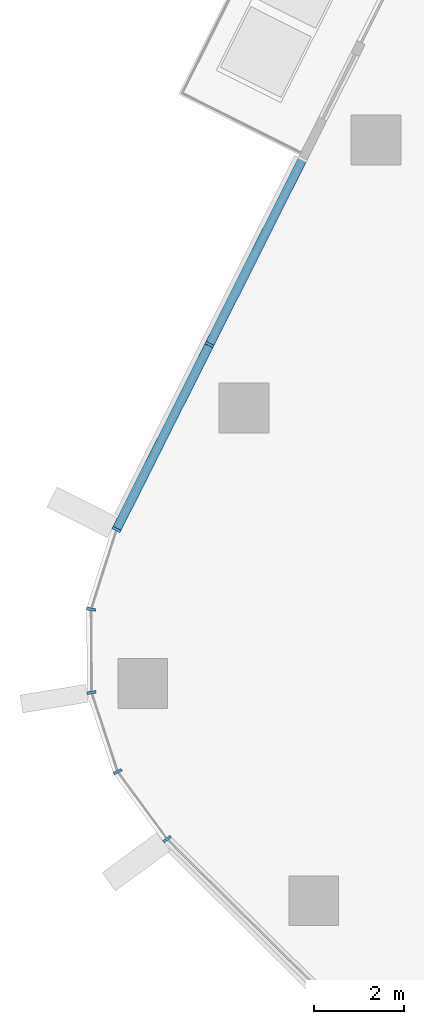
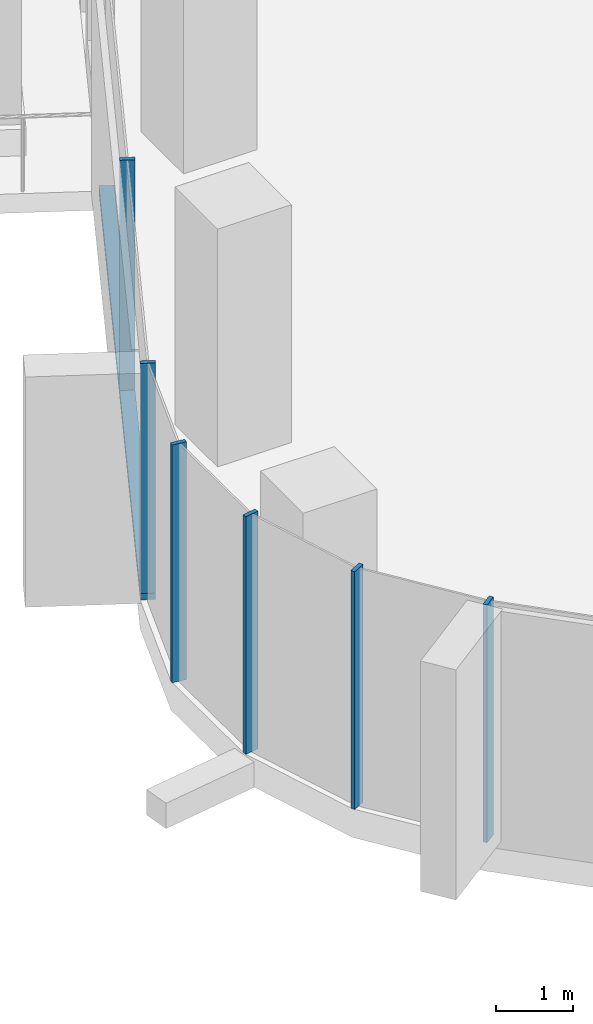
# One storey, part 4 of 21: 7 members, 2 elements without a shape of their own.
"""IFC4 building model written with IfcOpenShell, lengths in metres."""

from ifc_helpers import new_model, si_unit, direction, frame, origin, origin_2d, place, context, subcontext, project, spatial, rectangle, extrude, material, layer, layer_set, material_profile, profile_set, type_object, element, aggregate, save


model = new_model("IFC4")

# Units and contexts
model_context = context("Model", 3, precision=1e-05, world=origin(), true_north=direction((0.0, 1.0)))
body_context = subcontext(model_context, "Body", "Model", "MODEL_VIEW")
ifc_project = project(units=[si_unit("LENGTHUNIT", "METRE"), si_unit("AREAUNIT", "SQUARE_METRE"), si_unit("VOLUMEUNIT", "CUBIC_METRE"), si_unit("PLANEANGLEUNIT", "RADIAN"), si_unit("MASSUNIT", "GRAM", prefix="KILO")], contexts=[model_context])

# Site, building, storey
site_placement = place(None, origin())
site = spatial("IfcSite", under=ifc_project, at=site_placement, CompositionType="ELEMENT")
building_placement = place(site_placement, origin())
building = spatial("IfcBuilding", under=site, at=building_placement, Name="Dongbaek Canopy Tower", CompositionType="ELEMENT")
storey_placement = place(building_placement, frame((0.0, 0.0, 232.800048828125)))
storey = spatial("IfcBuildingStorey", under=building, at=storey_placement, Name="L48", CompositionType="ELEMENT", Elevation=232.800048828125)

# Curtain wall, members
ifc_material_1 = material(Name="Aluminium 6063-T6 pale anodised", Category="aluminium")
ifc_layer = layer(ifc_material_1, 0.199951171875)
ifc_layer_set = layer_set([ifc_layer], Name="CW-1 unitised tower curtain wall")
curtain_wall_type = type_object("IfcCurtainWallType", Name="CW-1 unitised tower curtain wall", PredefinedType="NOTDEFINED", material=ifc_layer_set)
curtain_wall_1_placement = place(storey_placement, origin())
curtain_wall_1 = element("IfcCurtainWall", 1, at=curtain_wall_1_placement, inside=storey, type_object=curtain_wall_type, Name="CW-1 curtain wall F2.1", PredefinedType="NOTDEFINED")
ifc_material_2 = material(Name="Aluminium 6063-T6 pale anodised", Category="aluminium")
ifc_material_profile_1 = material_profile(ifc_material_2, rectangle(XDim=0.199951171875, YDim=0.06005859375, at=origin_2d()), Name="CW-1 mullion 60 x 200")
ifc_profile_set_1 = profile_set([ifc_material_profile_1], Name="Aluminium 6063-T6 pale anodised")
member_type_1 = type_object("IfcMemberType", Name="CW-1 mullion 60 x 200", PredefinedType="MULLION", material=ifc_profile_set_1)
member_1_placement = place(storey_placement, frame((-26.306884765625, 1.48291015625, 0.119873046875), z_axis=(0.0, 0.0, 1.0), x_axis=(-0.893577393042, 0.448909169704, 0.0)))
member_1 = element("IfcMember", 2, at=member_1_placement, type_object=member_type_1, Name="CW-1 mullion F2.1.2", PredefinedType="MULLION", context=body_context, shape_type="SweptSolid", body=[
    extrude(rectangle(XDim=0.199951171875, YDim=0.06005859375, at=origin_2d()), origin(), (0.0, 0.0, 1.0), 3.630126953125),
])
member_2_placement = place(storey_placement, frame((-28.364013671875, -2.6123046875, 0.119873046875), z_axis=(0.0, 0.0, 1.0), x_axis=(-0.893577393042, 0.448909169704, 0.0)))
member_2 = element("IfcMember", 3, at=member_2_placement, type_object=member_type_1, Name="CW-1 mullion F2.1.3", PredefinedType="MULLION", context=body_context, shape_type="SweptSolid", body=[
    extrude(rectangle(XDim=0.199951171875, YDim=0.06005859375, at=origin_2d()), origin(), (0.0, 0.0, 1.0), 3.630126953125),
])

curtain_wall_2_placement = place(storey_placement, origin())
curtain_wall_2 = element("IfcCurtainWall", 4, at=curtain_wall_2_placement, inside=storey, type_object=curtain_wall_type, Name="CW-1 curtain wall K3.1", PredefinedType="NOTDEFINED")
member_3_placement = place(storey_placement, frame((-28.926513671875, -4.376220703125, 0.0), z_axis=(0.0, 0.0, 1.0), x_axis=(-0.988511679619, 0.151144497938, 0.0)))
member_3 = element("IfcMember", 5, at=member_3_placement, type_object=member_type_1, Name="CW-1 mullion K3.1.2", PredefinedType="MULLION", context=body_context, shape_type="SweptSolid", body=[
    extrude(rectangle(XDim=0.199951171875, YDim=0.06005859375, at=origin_2d()), origin(), (0.0, 0.0, 1.0), 3.75),
])
member_4_placement = place(storey_placement, frame((-28.9169921875, -6.2197265625, 0.0), z_axis=(0.0, 0.0, 1.0), x_axis=(-0.986891784514, -0.161383411968, 0.0)))
member_4 = element("IfcMember", 6, at=member_4_placement, type_object=member_type_1, Name="CW-1 mullion K3.1.3", PredefinedType="MULLION", context=body_context, shape_type="SweptSolid", body=[
    extrude(rectangle(XDim=0.199951171875, YDim=0.06005859375, at=origin_2d()), origin(), (0.0, 0.0, 1.0), 3.75),
])
member_5_placement = place(storey_placement, frame((-28.3388671875, -7.97021484375, 0.0), z_axis=(0.0, 0.0, 1.0), x_axis=(-0.888875933118, -0.458147984306, 0.0)))
member_5 = element("IfcMember", 7, at=member_5_placement, type_object=member_type_1, Name="CW-1 mullion K3.1.4", PredefinedType="MULLION", context=body_context, shape_type="SweptSolid", body=[
    extrude(rectangle(XDim=0.199951171875, YDim=0.06005859375, at=origin_2d()), origin(), (0.0, 0.0, 1.0), 3.75),
])
member_6_placement = place(storey_placement, frame((-27.24365234375, -9.46337890625, 0.0), z_axis=(0.0, 0.0, 1.0), x_axis=(-0.806363114239, -0.591420770683, 0.0)))
member_6 = element("IfcMember", 8, at=member_6_placement, type_object=member_type_1, Name="CW-1 mullion K3.1.5", PredefinedType="MULLION", context=body_context, shape_type="SweptSolid", body=[
    extrude(rectangle(XDim=0.199951171875, YDim=0.06005859375, at=origin_2d()), origin(), (0.0, 0.0, 1.0), 3.75),
])
aggregate(curtain_wall_2, [member_3, member_4, member_5, member_6])

# Member
ifc_material_3 = material(Name="Aluminium 6063-T6 pale anodised", Category="aluminium")
ifc_material_profile_2 = material_profile(ifc_material_3, rectangle(XDim=0.199951171875, YDim=0.1201171875, at=origin_2d()), Name="CW-1 transom 120 x 200")
ifc_profile_set_2 = profile_set([ifc_material_profile_2], Name="Aluminium 6063-T6 pale anodised")
member_type_2 = type_object("IfcMemberType", Name="CW-1 transom 120 x 200", PredefinedType="USERDEFINED", material=ifc_profile_set_2)
member_7_placement = place(storey_placement, frame((-24.24609375, 5.5849609375, 0.06005859375), z_axis=(-0.448894796272, -0.893584613721, 0.0), x_axis=(0.893584613721, -0.448894796272, 0.0)))
member_7 = element("IfcMember", 9, at=member_7_placement, type_object=member_type_2, Name="CW-1 transom F2.1.1", ObjectType="TRANSOM", PredefinedType="USERDEFINED", context=body_context, shape_type="SweptSolid", body=[
    extrude(rectangle(XDim=0.199951171875, YDim=0.1201171875, at=origin_2d()), origin(), (0.0, 0.0, 1.0), 9.173583984375),
])

aggregate(curtain_wall_1, [member_1, member_2, member_7])

save(model, "model.ifc")
